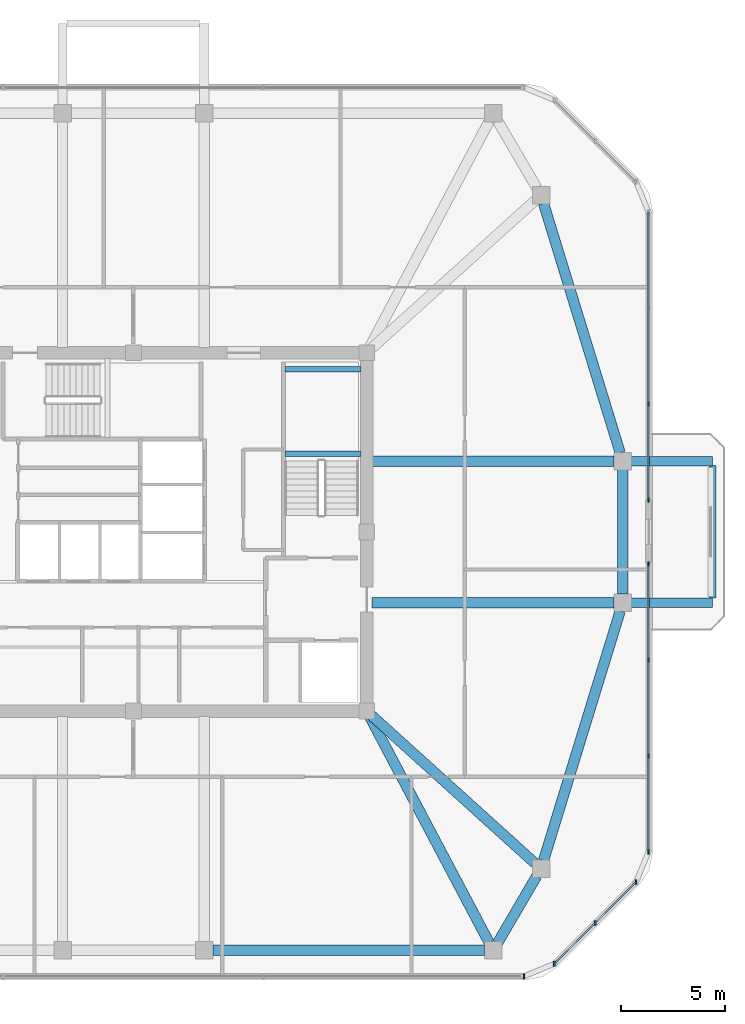
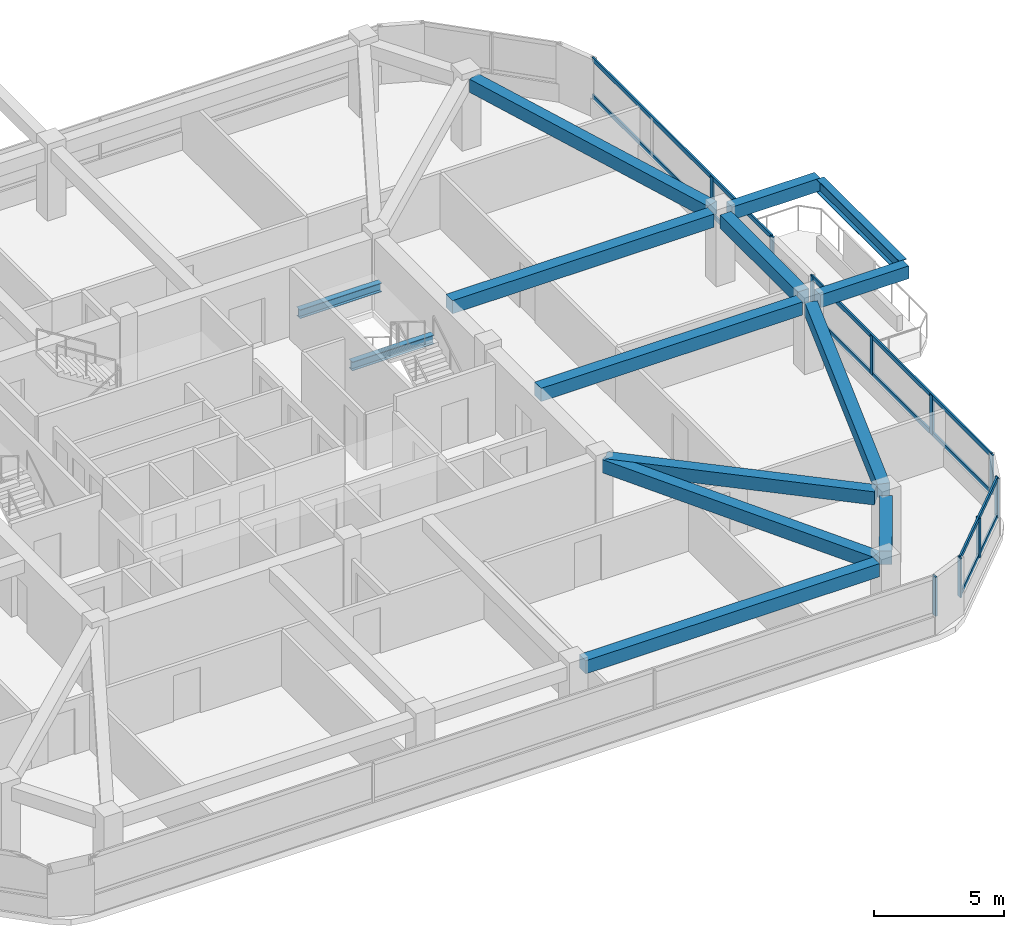
# One storey, part 5 of 13: 16 members, 14 beams, 4 elements without a shape of their own.
"""IFC4 building model written with IfcOpenShell, lengths in metres."""

from ifc_helpers import new_model, si_unit, derived_unit, direction, frame, origin, origin_2d, place, context, subcontext, project, spatial, rectangle, i_section, extrude, material, material_profile, profile_set, type_object, element, aggregate, save


model = new_model("IFC4")

# Units and contexts
model_context = context("Model", 3, precision=1e-05, world=origin(), true_north=direction((0.0, 1.0)))
body_context = subcontext(model_context, "Body", "Model", "MODEL_VIEW")
ifc_project = project(units=[si_unit("LENGTHUNIT", "METRE"), si_unit("AREAUNIT", "SQUARE_METRE"), si_unit("VOLUMEUNIT", "CUBIC_METRE"), si_unit("PLANEANGLEUNIT", "RADIAN"), si_unit("MASSUNIT", "GRAM", prefix="KILO"), derived_unit("THERMALTRANSMITTANCEUNIT", [(si_unit("POWERUNIT", "WATT"), 1), (si_unit("LENGTHUNIT", "METRE"), -2), (si_unit("THERMODYNAMICTEMPERATUREUNIT", "KELVIN"), -1)])], contexts=[model_context])

# Site, building, storey
site_placement = place(None, origin())
site = spatial("IfcSite", under=ifc_project, at=site_placement, CompositionType="ELEMENT")
building_placement = place(site_placement, origin())
building = spatial("IfcBuilding", under=site, at=building_placement, Name="Koralith Skygarden Medical Center", CompositionType="ELEMENT")
storey_placement = place(building_placement, frame((0.0, 0.0, 271.6201171875)))
storey = spatial("IfcBuildingStorey", under=building, at=storey_placement, Name="L70", CompositionType="ELEMENT", Elevation=271.6201171875)

# Curtain wall, member
ifc_material_1 = material(Name="Clear Laminated Glass", Category="glass")
curtain_wall_type = type_object("IfcCurtainWallType", Name="CW-6 Zone 5 Upper Clinical Curtain Wall", PredefinedType="NOTDEFINED", material=ifc_material_1)
curtain_wall_1_placement = place(storey_placement, origin())
curtain_wall_1 = element("IfcCurtainWall", 1, at=curtain_wall_1_placement, inside=storey, type_object=curtain_wall_type, Name="Curtain Wall CW-L70-S", PredefinedType="NOTDEFINED")
ifc_material_2 = material(Name="Aluminium 6063-T6", Category="aluminium")
ifc_material_profile_1 = material_profile(ifc_material_2, rectangle(XDim=0.0830078125, YDim=0.219970703125, at=origin_2d()), Name="MUL83X220")
ifc_profile_set_1 = profile_set([ifc_material_profile_1], Name="Aluminium 6063-T6")
member_type_1 = type_object("IfcMemberType", Name="CW-6 Extruded Mullion 83x220", PredefinedType="MULLION", material=ifc_profile_set_1)
member_1_placement = place(storey_placement, frame((55.7451171875, 4.580078125, 0.849853515625), z_axis=(0.0, 0.0, 1.0), x_axis=(1.0, 0.0, 0.0)))
member_1 = element("IfcMember", 2, at=member_1_placement, type_object=member_type_1, Name="CW-L70-S Mullion 4", PredefinedType="MULLION", context=body_context, shape_type="SweptSolid", body=[
    extrude(rectangle(XDim=0.0830078125, YDim=0.219970703125, at=origin_2d()), origin(), (0.0, 0.0, 1.0), 1.840087890625),
])
aggregate(curtain_wall_1, [member_1])

# Curtain wall, members
curtain_wall_2_placement = place(storey_placement, origin())
curtain_wall_2 = element("IfcCurtainWall", 3, at=curtain_wall_2_placement, inside=storey, type_object=curtain_wall_type, Name="Curtain Wall CW-L70-SE", PredefinedType="NOTDEFINED")
member_2_placement = place(storey_placement, frame((57.196044921875, 5.180908203125, 0.849853515625), z_axis=(0.0, 0.0, 1.0), x_axis=(1.0, 0.0, 0.0)))
member_2 = element("IfcMember", 4, at=member_2_placement, type_object=member_type_1, Name="CW-L70-SE Mullion 1", PredefinedType="MULLION", context=body_context, shape_type="SweptSolid", body=[
    extrude(rectangle(XDim=0.0830078125, YDim=0.219970703125, at=origin_2d()), origin(), (0.0, 0.0, 1.0), 1.840087890625),
])
member_3_placement = place(storey_placement, frame((59.156982421875, 7.14306640625, 0.849853515625), z_axis=(0.0, 0.0, 1.0), x_axis=(1.0, 0.0, 0.0)))
member_3 = element("IfcMember", 5, at=member_3_placement, type_object=member_type_1, Name="CW-L70-SE Mullion 2", PredefinedType="MULLION", context=body_context, shape_type="SweptSolid", body=[
    extrude(rectangle(XDim=0.0830078125, YDim=0.219970703125, at=origin_2d()), origin(), (0.0, 0.0, 1.0), 1.840087890625),
])
member_4_placement = place(storey_placement, frame((61.118896484375, 9.10400390625, 0.849853515625), z_axis=(0.0, 0.0, 1.0), x_axis=(1.0, 0.0, 0.0)))
member_4 = element("IfcMember", 6, at=member_4_placement, type_object=member_type_1, Name="CW-L70-SE Mullion 3", PredefinedType="MULLION", context=body_context, shape_type="SweptSolid", body=[
    extrude(rectangle(XDim=0.0830078125, YDim=0.219970703125, at=origin_2d()), origin(), (0.0, 0.0, 1.0), 1.840087890625),
])

curtain_wall_3_placement = place(storey_placement, origin())
curtain_wall_3 = element("IfcCurtainWall", 7, at=curtain_wall_3_placement, inside=storey, type_object=curtain_wall_type, Name="Curtain Wall CW-L70-E-L", PredefinedType="NOTDEFINED")
member_5_placement = place(storey_placement, frame((61.719970703125, 10.554931640625, 0.849853515625), z_axis=(0.0, 0.0, 1.0), x_axis=(1.0, 0.0, 0.0)))
member_5 = element("IfcMember", 8, at=member_5_placement, type_object=member_type_1, Name="CW-L70-E-L Mullion 1", PredefinedType="MULLION", context=body_context, shape_type="SweptSolid", body=[
    extrude(rectangle(XDim=0.0830078125, YDim=0.219970703125, at=origin_2d()), origin(), (0.0, 0.0, 1.0), 1.840087890625),
])
member_6_placement = place(storey_placement, frame((61.719970703125, 15.156982421875, 0.849853515625), z_axis=(0.0, 0.0, 1.0), x_axis=(1.0, 0.0, 0.0)))
member_6 = element("IfcMember", 9, at=member_6_placement, type_object=member_type_1, Name="CW-L70-E-L Mullion 2", PredefinedType="MULLION", context=body_context, shape_type="SweptSolid", body=[
    extrude(rectangle(XDim=0.0830078125, YDim=0.219970703125, at=origin_2d()), origin(), (0.0, 0.0, 1.0), 1.840087890625),
])
member_7_placement = place(storey_placement, frame((61.719970703125, 19.758056640625, 0.849853515625), z_axis=(0.0, 0.0, 1.0), x_axis=(1.0, 0.0, 0.0)))
member_7 = element("IfcMember", 10, at=member_7_placement, type_object=member_type_1, Name="CW-L70-E-L Mullion 3", PredefinedType="MULLION", context=body_context, shape_type="SweptSolid", body=[
    extrude(rectangle(XDim=0.0830078125, YDim=0.219970703125, at=origin_2d()), origin(), (0.0, 0.0, 1.0), 1.840087890625),
])
member_8_placement = place(storey_placement, frame((61.719970703125, 24.360107421875, 0.849853515625), z_axis=(0.0, 0.0, 1.0), x_axis=(1.0, 0.0, 0.0)))
member_8 = element("IfcMember", 11, at=member_8_placement, type_object=member_type_1, Name="CW-L70-E-L Mullion 4", PredefinedType="MULLION", context=body_context, shape_type="SweptSolid", body=[
    extrude(rectangle(XDim=0.0830078125, YDim=0.219970703125, at=origin_2d()), origin(), (0.0, 0.0, 1.0), 1.840087890625),
])

curtain_wall_4_placement = place(storey_placement, origin())
curtain_wall_4 = element("IfcCurtainWall", 12, at=curtain_wall_4_placement, inside=storey, type_object=curtain_wall_type, Name="Curtain Wall CW-L70-E-R", PredefinedType="NOTDEFINED")
member_9_placement = place(storey_placement, frame((61.719970703125, 27.43994140625, 0.849853515625), z_axis=(0.0, 0.0, 1.0), x_axis=(1.0, 0.0, 0.0)))
member_9 = element("IfcMember", 13, at=member_9_placement, type_object=member_type_1, Name="CW-L70-E-R Mullion 1", PredefinedType="MULLION", context=body_context, shape_type="SweptSolid", body=[
    extrude(rectangle(XDim=0.0830078125, YDim=0.219970703125, at=origin_2d()), origin(), (0.0, 0.0, 1.0), 1.840087890625),
])
member_10_placement = place(storey_placement, frame((61.719970703125, 32.0419921875, 0.849853515625), z_axis=(0.0, 0.0, 1.0), x_axis=(1.0, 0.0, 0.0)))
member_10 = element("IfcMember", 14, at=member_10_placement, type_object=member_type_1, Name="CW-L70-E-R Mullion 2", PredefinedType="MULLION", context=body_context, shape_type="SweptSolid", body=[
    extrude(rectangle(XDim=0.0830078125, YDim=0.219970703125, at=origin_2d()), origin(), (0.0, 0.0, 1.0), 1.840087890625),
])

# Member
ifc_material_profile_2 = material_profile(ifc_material_2, rectangle(XDim=0.077880859375, YDim=0.197998046875, at=origin_2d()), Name="TRN78X198")
ifc_profile_set_2 = profile_set([ifc_material_profile_2], Name="Aluminium 6063-T6")
member_type_2 = type_object("IfcMemberType", Name="CW-6 Thermal Transom 78x198", PredefinedType="USERDEFINED", material=ifc_profile_set_2)
member_11_placement = place(storey_placement, frame((57.196044921875, 5.180908203125, 0.89990234375), z_axis=(0.707084777957, 0.707128783731, 0.0), x_axis=(-0.707128783731, 0.707084777957, 0.0)))
member_11 = element("IfcMember", 15, at=member_11_placement, type_object=member_type_2, Name="CW-L70-SE Transom 1", ObjectType="TRANSOM", PredefinedType="USERDEFINED", context=body_context, shape_type="SweptSolid", body=[
    extrude(rectangle(XDim=0.077880859375, YDim=0.197998046875, at=origin_2d()), origin(), (0.0, 0.0, 1.0), 5.5478515625),
])

member_12_placement = place(storey_placement, frame((57.196044921875, 5.180908203125, 2.639892578125), z_axis=(0.707084777957, 0.707128783731, 0.0), x_axis=(-0.707128783731, 0.707084777957, 0.0)))
member_12 = element("IfcMember", 16, at=member_12_placement, type_object=member_type_2, Name="CW-L70-SE Transom 2", ObjectType="TRANSOM", PredefinedType="USERDEFINED", context=body_context, shape_type="SweptSolid", body=[
    extrude(rectangle(XDim=0.077880859375, YDim=0.197998046875, at=origin_2d()), origin(), (0.0, 0.0, 1.0), 5.5478515625),
])

aggregate(curtain_wall_2, [member_2, member_3, member_4, member_11, member_12])

member_13_placement = place(storey_placement, frame((61.719970703125, 10.554931640625, 0.89990234375), z_axis=(0.0, 1.0, 0.0), x_axis=(-1.0, 0.0, 0.0)))
member_13 = element("IfcMember", 17, at=member_13_placement, type_object=member_type_2, Name="CW-L70-E-L Transom 1", ObjectType="TRANSOM", PredefinedType="USERDEFINED", context=body_context, shape_type="SweptSolid", body=[
    extrude(rectangle(XDim=0.077880859375, YDim=0.197998046875, at=origin_2d()), origin(), (0.0, 0.0, 1.0), 13.80517578125),
])

member_14_placement = place(storey_placement, frame((61.719970703125, 10.554931640625, 2.639892578125), z_axis=(0.0, 1.0, 0.0), x_axis=(-1.0, 0.0, 0.0)))
member_14 = element("IfcMember", 18, at=member_14_placement, type_object=member_type_2, Name="CW-L70-E-L Transom 2", ObjectType="TRANSOM", PredefinedType="USERDEFINED", context=body_context, shape_type="SweptSolid", body=[
    extrude(rectangle(XDim=0.077880859375, YDim=0.197998046875, at=origin_2d()), origin(), (0.0, 0.0, 1.0), 13.80517578125),
])

aggregate(curtain_wall_3, [member_5, member_6, member_7, member_8, member_13, member_14])

member_15_placement = place(storey_placement, frame((61.719970703125, 27.43994140625, 0.89990234375), z_axis=(0.0, 1.0, 0.0), x_axis=(-1.0, 0.0, 0.0)))
member_15 = element("IfcMember", 19, at=member_15_placement, type_object=member_type_2, Name="CW-L70-E-R Transom 1", ObjectType="TRANSOM", PredefinedType="USERDEFINED", context=body_context, shape_type="SweptSolid", body=[
    extrude(rectangle(XDim=0.077880859375, YDim=0.197998046875, at=origin_2d()), origin(), (0.0, 0.0, 1.0), 13.80517578125),
])

member_16_placement = place(storey_placement, frame((61.719970703125, 27.43994140625, 2.639892578125), z_axis=(0.0, 1.0, 0.0), x_axis=(-1.0, 0.0, 0.0)))
member_16 = element("IfcMember", 20, at=member_16_placement, type_object=member_type_2, Name="CW-L70-E-R Transom 2", ObjectType="TRANSOM", PredefinedType="USERDEFINED", context=body_context, shape_type="SweptSolid", body=[
    extrude(rectangle(XDim=0.077880859375, YDim=0.197998046875, at=origin_2d()), origin(), (0.0, 0.0, 1.0), 13.80517578125),
])

aggregate(curtain_wall_4, [member_9, member_10, member_15, member_16])

# Beams
ifc_material_3 = material(Name="Steel ASTM A992 Grade 50", Category="steel")
ifc_material_profile_3 = material_profile(ifc_material_3, i_section(OverallWidth=0.326904296875, OverallDepth=0.6220703125, WebThickness=0.015380859375, FlangeThickness=0.0244140625, at=origin_2d()), Name="W24X131")
ifc_profile_set_3 = profile_set([ifc_material_profile_3], Name="Steel ASTM A992 Grade 50")
beam_type_1 = type_object("IfcBeamType", Name="Cantilever Tie Beam W24X131", PredefinedType="BEAM", material=ifc_profile_set_3)
beam_1_placement = place(storey_placement, frame((64.800048828125, 22.719970703125, 3.02880859375), z_axis=(0.0, 1.0, 0.0), x_axis=(-1.0, 0.0, 0.0)))
element("IfcBeam", 21, at=beam_1_placement, inside=storey, type_object=beam_type_1, Name="L71 E Balcony Tip Tie Beam", PredefinedType="BEAM", context=body_context, shape_type="SweptSolid", body=[
    extrude(i_section(OverallWidth=0.326904296875, OverallDepth=0.6220703125, WebThickness=0.015380859375, FlangeThickness=0.0244140625, at=origin_2d()), origin(), (0.0, 0.0, 1.0), 6.360107421875),
])
ifc_material_profile_4 = material_profile(ifc_material_3, i_section(OverallWidth=0.260009765625, OverallDepth=0.4150390625, WebThickness=0.010009765625, FlangeThickness=0.016845703125, at=origin_2d()), Name="W16X67")
ifc_profile_set_4 = profile_set([ifc_material_profile_4], Name="Steel ASTM A992 Grade 50")
beam_type_2 = type_object("IfcBeamType", Name="Clinical Floor Joist W16X67", PredefinedType="JOIST", material=ifc_profile_set_4)
for number, where, z_axis, x_axis, name in (
    (22, (44.280029296875, 29.659912109375, 1.392822265625), (1.0, 0.0, 0.0), (0.0, 1.0, 0.0), "L70 Stair ST2 Half-Landing Support Beam 1A"),
    (23, (44.280029296875, 33.699951171875, 1.392822265625), (1.0, 0.0, 0.0), (0.0, 1.0, 0.0), "L70 Stair ST2 Half-Landing Support Beam 1B"),
):
    element("IfcBeam", number, at=place(storey_placement, frame(where, z_axis=z_axis, x_axis=x_axis)), inside=storey, type_object=beam_type_2, Name=name, PredefinedType="JOIST", context=body_context, shape_type="SweptSolid", body=[
        extrude(i_section(OverallWidth=0.260009765625, OverallDepth=0.4150390625, WebThickness=0.010009765625, FlangeThickness=0.016845703125, at=origin_2d()), origin(), (0.0, 0.0, 1.0), 3.639892578125),
    ])
ifc_material_4 = material(Name="Concrete C45/55", Category="concrete")
ifc_material_profile_5 = material_profile(ifc_material_4, rectangle(XDim=0.449951171875, YDim=0.60009765625, at=origin_2d()), Name="RCB450X600")
ifc_profile_set_5 = profile_set([ifc_material_profile_5], Name="Concrete C45/55")
beam_type_3 = type_object("IfcBeamType", Name="Planted Balcony Cantilever Beam RCB450X600", PredefinedType="BEAM", material=ifc_profile_set_5)
for number, where, z_axis, x_axis, name in (
    (24, (60.8798828125, 22.5, 3.039794921875), (1.0, 0.0, 0.0), (0.0, 1.0, 0.0), "L71 E Balcony Cantilever Beam A"),
    (25, (60.8798828125, 29.300048828125, 3.039794921875), (1.0, 0.0, 0.0), (0.0, 1.0, 0.0), "L71 E Balcony Cantilever Beam B"),
):
    element("IfcBeam", number, at=place(storey_placement, frame(where, z_axis=z_axis, x_axis=x_axis)), inside=storey, type_object=beam_type_3, Name=name, PredefinedType="BEAM", context=body_context, shape_type="SweptSolid", body=[
        extrude(rectangle(XDim=0.449951171875, YDim=0.60009765625, at=origin_2d()), origin(), (0.0, 0.0, 1.0), 3.920166015625),
    ])
ifc_material_profile_6 = material_profile(ifc_material_4, rectangle(XDim=0.5, YDim=0.6201171875, at=origin_2d()), Name="RCB500X620")
ifc_profile_set_6 = profile_set([ifc_material_profile_6], Name="Concrete C45/55")
beam_type_4 = type_object("IfcBeamType", Name="Upper Radial Collector Beam RCB500X620", PredefinedType="BEAM", material=ifc_profile_set_6)
beam_2_placement = place(storey_placement, frame((48.31689453125, 17.0791015625, 3.009765625), z_axis=(0.46724871287, -0.884125918816, 0.0), x_axis=(0.884125918816, 0.46724871287, 0.0)))
element("IfcBeam", 26, at=beam_2_placement, inside=storey, type_object=beam_type_4, Name="L70 Radial Collector Beam RB-06", PredefinedType="BEAM", context=body_context, shape_type="SweptSolid", body=[
    extrude(rectangle(XDim=0.5, YDim=0.6201171875, at=origin_2d()), origin(), (0.0, 0.0, 1.0), 12.325439453125),
])
beam_3_placement = place(storey_placement, frame((48.385009765625, 17.132080078125, 3.009765625), z_axis=(0.741736323186, -0.670691603397, 0.0), x_axis=(0.670691603397, 0.741736323186, 0.0)))
element("IfcBeam", 27, at=beam_3_placement, inside=storey, type_object=beam_type_4, Name="L70 Radial Collector Beam RB-07", PredefinedType="BEAM", context=body_context, shape_type="SweptSolid", body=[
    extrude(rectangle(XDim=0.5, YDim=0.6201171875, at=origin_2d()), origin(), (0.0, 0.0, 1.0), 10.61181640625),
])
for number, where, z_axis, x_axis, name in (
    (28, (48.449951171875, 22.5, 3.009765625), (1.0, 0.0, 0.0), (0.0, 1.0, 0.0), "L70 Radial Collector Beam RB-08"),
    (29, (48.449951171875, 29.300048828125, 3.009765625), (1.0, 0.0, 0.0), (0.0, 1.0, 0.0), "L70 Radial Collector Beam RB-09"),
):
    element("IfcBeam", number, at=place(storey_placement, frame(where, z_axis=z_axis, x_axis=x_axis)), inside=storey, type_object=beam_type_4, Name=name, PredefinedType="BEAM", context=body_context, shape_type="SweptSolid", body=[
        extrude(rectangle(XDim=0.5, YDim=0.6201171875, at=origin_2d()), origin(), (0.0, 0.0, 1.0), 11.6201171875),
    ])
ifc_material_profile_7 = material_profile(ifc_material_4, rectangle(XDim=0.5, YDim=0.6201171875, at=origin_2d()), Name="RCB500X620")
ifc_profile_set_7 = profile_set([ifc_material_profile_7], Name="Concrete C45/55")
beam_type_5 = type_object("IfcBeamType", Name="Zone 4-5 Spandrel Beam RCB500X620", PredefinedType="SPANDREL", material=ifc_profile_set_7)
beam_4_placement = place(storey_placement, frame((40.81005859375, 5.820068359375, 3.009765625), z_axis=(1.0, 0.0, 0.0), x_axis=(0.0, 1.0, 0.0)))
element("IfcBeam", 30, at=beam_4_placement, inside=storey, type_object=beam_type_5, Name="L70 Perimeter Spandrel Beam SP-05", PredefinedType="SPANDREL", context=body_context, shape_type="SweptSolid", body=[
    extrude(rectangle(XDim=0.5, YDim=0.6201171875, at=origin_2d()), origin(), (0.0, 0.0, 1.0), 13.0478515625),
])
beam_5_placement = place(storey_placement, frame((54.47509765625, 6.174072265625, 3.009765625), z_axis=(0.50473571007, 0.863273921175, 0.0), x_axis=(-0.863273921175, 0.50473571007, 0.0)))
element("IfcBeam", 31, at=beam_5_placement, inside=storey, type_object=beam_type_5, Name="L70 Perimeter Spandrel Beam SP-06", PredefinedType="SPANDREL", context=body_context, shape_type="SweptSolid", body=[
    extrude(rectangle(XDim=0.5, YDim=0.6201171875, at=origin_2d()), origin(), (0.0, 0.0, 1.0), 3.720703125),
])
beam_6_placement = place(storey_placement, frame((56.679931640625, 10.132080078125, 3.009765625), z_axis=(0.293743494914, 0.955884281279, 0.0), x_axis=(-0.955884281279, 0.293743494914, 0.0)))
element("IfcBeam", 32, at=beam_6_placement, inside=storey, type_object=beam_type_5, Name="L70 Perimeter Spandrel Beam SP-07", PredefinedType="SPANDREL", context=body_context, shape_type="SweptSolid", body=[
    extrude(rectangle(XDim=0.5, YDim=0.6201171875, at=origin_2d()), origin(), (0.0, 0.0, 1.0), 12.528564453125),
])
beam_7_placement = place(storey_placement, frame((60.47998046875, 22.909912109375, 3.009765625), z_axis=(0.0, 1.0, 0.0), x_axis=(-1.0, 0.0, 0.0)))
element("IfcBeam", 33, at=beam_7_placement, inside=storey, type_object=beam_type_5, Name="L70 Perimeter Spandrel Beam SP-08", PredefinedType="SPANDREL", context=body_context, shape_type="SweptSolid", body=[
    extrude(rectangle(XDim=0.5, YDim=0.6201171875, at=origin_2d()), origin(), (0.0, 0.0, 1.0), 5.97998046875),
])
beam_8_placement = place(storey_placement, frame((60.360107421875, 29.69189453125, 3.009765625), z_axis=(-0.293738023424, 0.955885962652, 0.0), x_axis=(-0.955885962652, -0.293738023424, 0.0)))
element("IfcBeam", 34, at=beam_8_placement, inside=storey, type_object=beam_type_5, Name="L70 Perimeter Spandrel Beam SP-09", PredefinedType="SPANDREL", context=body_context, shape_type="SweptSolid", body=[
    extrude(rectangle(XDim=0.5, YDim=0.6201171875, at=origin_2d()), origin(), (0.0, 0.0, 1.0), 12.52880859375),
])

save(model, "model.ifc")
